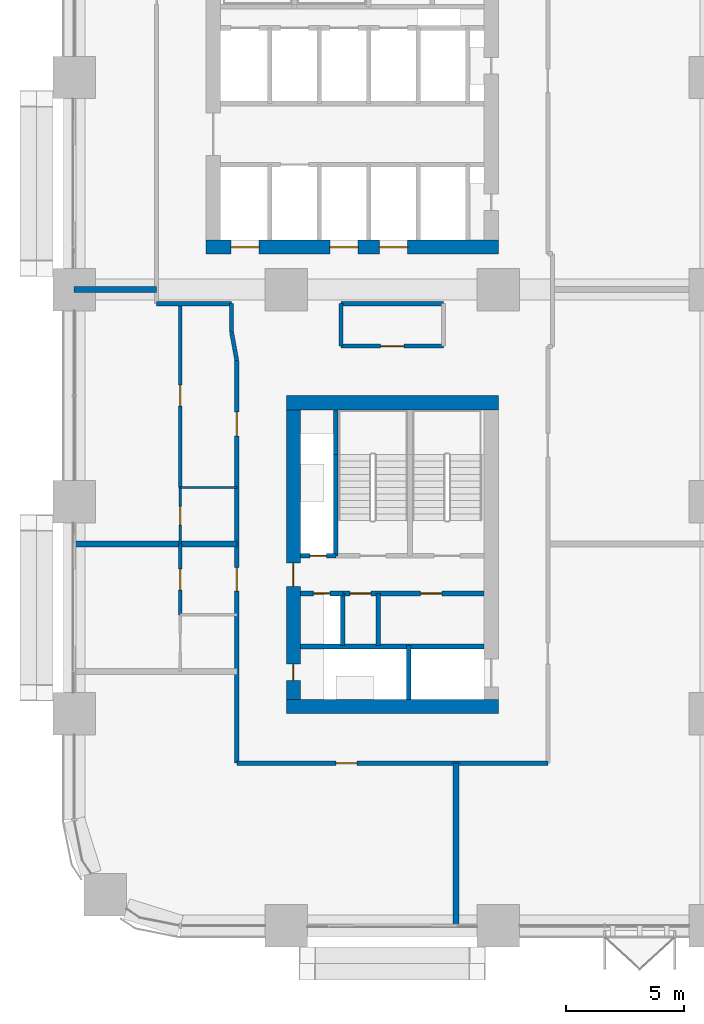
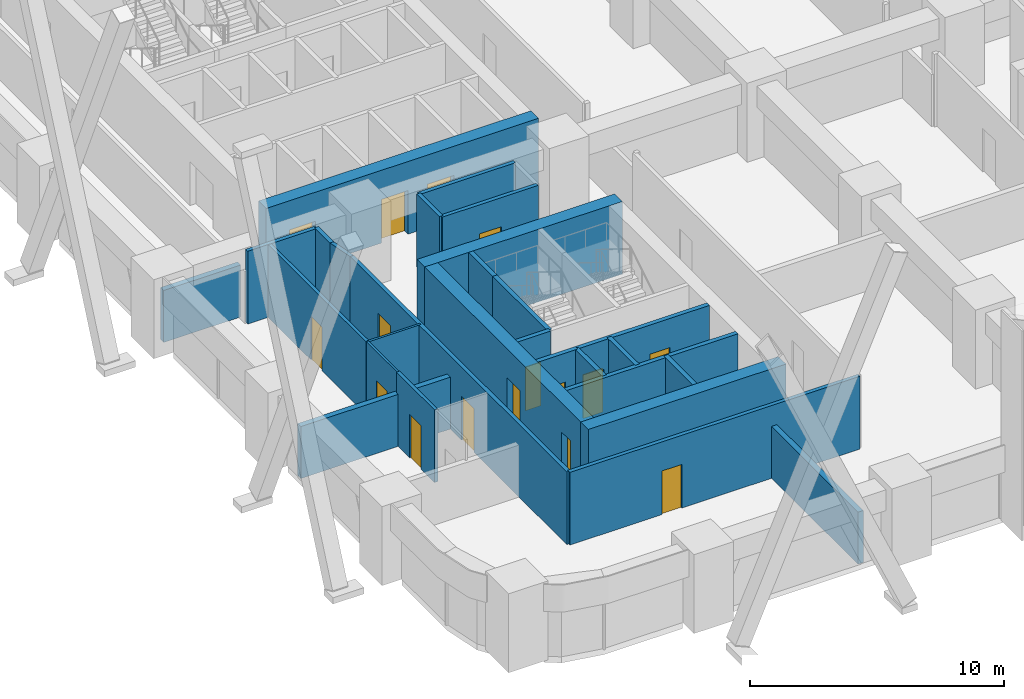
# One storey, part 15 of 24: 28 walls, 16 doors, 16 openings.
"""IFC4 building model written with IfcOpenShell, lengths in metres."""

from ifc_helpers import new_model, si_unit, direction, frame, frame_2d, origin, place, context, subcontext, project, spatial, rectangle, extrude, material, layer, layer_set, type_object, element, fill, save


model = new_model("IFC4")

# Units and contexts
model_context = context("Model", 3, precision=1e-05, world=origin(), true_north=direction((0.0, 1.0)))
body_context = subcontext(model_context, "Body", "Model", "MODEL_VIEW")
ifc_project = project(units=[si_unit("LENGTHUNIT", "METRE"), si_unit("AREAUNIT", "SQUARE_METRE"), si_unit("VOLUMEUNIT", "CUBIC_METRE"), si_unit("PLANEANGLEUNIT", "RADIAN"), si_unit("MASSUNIT", "GRAM", prefix="KILO")], contexts=[model_context])

# Site, building, storey
site_placement = place(None, origin())
site = spatial("IfcSite", under=ifc_project, at=site_placement, CompositionType="ELEMENT")
building_placement = place(site_placement, origin())
building = spatial("IfcBuilding", under=site, at=building_placement, Name="Tessera Arch", CompositionType="ELEMENT")
storey_placement = place(building_placement, frame((0.0, 0.0, 61.39990234375)))
storey = spatial("IfcBuildingStorey", under=building, at=storey_placement, Name="L13", CompositionType="ELEMENT", Elevation=61.39990234375)

# Wall
ifc_material_1 = material(Name="Gypsum board on steel stud", Category="steel")
ifc_layer_1 = layer(ifc_material_1, 0.125)
ifc_layer_set_1 = layer_set([ifc_layer_1], Name="Core partition 125 EI 60")
wall_type_1 = type_object("IfcWallType", Name="Core partition 125 EI 60", PredefinedType="PARTITIONING", material=ifc_layer_set_1)
wall_1_placement = place(storey_placement, frame((12.89990234375, 11.89990234375, 0.0), z_axis=(0.0, 0.0, 1.0), x_axis=(0.0, 1.0, 0.0)))
element("IfcWall", 1, at=wall_1_placement, inside=storey, type_object=wall_type_1, Name="L13 C4 partition wall 4", PredefinedType="PARTITIONING", context=body_context, shape_type="SweptSolid", body=[
    extrude(rectangle(XDim=2.2001953125, YDim=0.199951171875, at=frame_2d((1.10009765625, 0.0))), origin(), (0.0, 0.0, 1.0), 3.5),
])

# Wall, openings, doors
wall_2_placement = place(storey_placement, frame((11.39990234375, 14.10009765625, 0.0), z_axis=(0.0, 0.0, 1.0), x_axis=(1.0, 0.0, 0.0)))
wall_2 = element("IfcWall", 2, at=wall_2_placement, inside=storey, type_object=wall_type_1, Name="L13 C4 partition wall 9", PredefinedType="PARTITIONING", context=body_context, shape_type="SweptSolid", body=[
    extrude(rectangle(XDim=6.0, YDim=0.199951171875, at=frame_2d((3.0, 0.0))), origin(), (0.0, 0.0, 1.0), 3.5),
])
opening_1_placement = place(wall_2_placement, frame((0.300048828125, 0.0, 0.0)))
opening_1 = element("IfcOpeningElement", 3, at=opening_1_placement, cuts=wall_2, Name="Opening L13-C47", PredefinedType="OPENING", context=body_context, shape_type="SweptSolid", body=[
    extrude(rectangle(XDim=0.89990234375, YDim=2.10009765625, at=frame_2d((0.449951171875, 1.050048828125))), frame((0.0, 0.10986328125, 0.0), z_axis=(0.0, -1.0, 0.0), x_axis=(1.0, 0.0, 0.0)), (0.0, 0.0, 1.0), 0.219970703125),
])
opening_2_placement = place(wall_2_placement, frame((3.300048828125, 0.0, 0.0)))
opening_2 = element("IfcOpeningElement", 4, at=opening_2_placement, cuts=wall_2, Name="Opening L13-C48", PredefinedType="OPENING", context=body_context, shape_type="SweptSolid", body=[
    extrude(rectangle(XDim=0.89990234375, YDim=2.10009765625, at=frame_2d((0.449951171875, 1.050048828125))), frame((0.0, 0.10986328125, 0.0), z_axis=(0.0, -1.0, 0.0), x_axis=(1.0, 0.0, 0.0)), (0.0, 0.0, 1.0), 0.219970703125),
])
ifc_material_2 = material(Name="Steel door leaf", Category="steel")
door_type_1 = type_object("IfcDoorType", Name="Store door FD30S 900 x 2100", OperationType="SINGLE_SWING_LEFT", PredefinedType="DOOR", material=ifc_material_2)
door_1_placement = place(opening_1_placement, origin())
door_1 = element("IfcDoor", 5, at=door_1_placement, inside=storey, type_object=door_type_1, Name="L13 C4 door 8 C47 type D09", OperationType="SINGLE_SWING_LEFT", OverallHeight=2.10009765625, OverallWidth=0.89990234375, PredefinedType="DOOR", context=body_context, shape_type="SweptSolid", body=[
    extrude(rectangle(XDim=0.89990234375, YDim=2.10009765625, at=frame_2d((0.449951171875, 1.050048828125))), frame((0.0, 0.02490234375, 0.0), z_axis=(0.0, -1.0, 0.0), x_axis=(1.0, 0.0, 0.0)), (0.0, 0.0, 1.0), 0.050048828125),
])
fill(opening_1, door_1)
door_2_placement = place(opening_2_placement, origin())
door_2 = element("IfcDoor", 6, at=door_2_placement, inside=storey, type_object=door_type_1, Name="L13 C4 door 9 C48 type D09", OperationType="SINGLE_SWING_RIGHT", OverallHeight=2.10009765625, OverallWidth=0.89990234375, PredefinedType="DOOR", context=body_context, shape_type="SweptSolid", body=[
    extrude(rectangle(XDim=0.89990234375, YDim=2.10009765625, at=frame_2d((0.449951171875, 1.050048828125))), frame((0.0, 0.02490234375, 0.0), z_axis=(0.0, -1.0, 0.0), x_axis=(1.0, 0.0, 0.0)), (0.0, 0.0, 1.0), 0.050048828125),
])
fill(opening_2, door_2)

ifc_material_3 = material(Name="Concrete C70/85", Category="concrete")
ifc_layer_2 = layer(ifc_material_3, 0.60009765625)
ifc_layer_set_2 = layer_set([ifc_layer_2], Name="Core shell wall 600 C70-85")
wall_type_2 = type_object("IfcWallType", Name="Core shell wall 600 C70-85", PredefinedType="SHEAR", material=ifc_layer_set_2)
wall_3_placement = place(storey_placement, frame((5.60009765625, 28.800048828125, 0.0), z_axis=(0.0, 0.0, 1.0), x_axis=(1.0, 0.0, 0.0)))
wall_3 = element("IfcWall", 7, at=wall_3_placement, inside=storey, type_object=wall_type_2, Name="L13 C2 core wall S", PredefinedType="SHEAR", context=body_context, shape_type="SweptSolid", body=[
    extrude(rectangle(XDim=12.39990234375, YDim=0.60009765625, at=frame_2d((6.199951171875, 0.0))), origin(), (0.0, 0.0, 1.0), 3.5),
])
opening_3_placement = place(wall_3_placement, frame((1.050048828125, 0.0, 0.0)))
opening_3 = element("IfcOpeningElement", 8, at=opening_3_placement, cuts=wall_3, Name="Opening L13-C14", PredefinedType="OPENING", context=body_context, shape_type="SweptSolid", body=[
    extrude(rectangle(XDim=1.199951171875, YDim=2.10009765625, at=frame_2d((0.60009765625, 1.050048828125))), frame((0.0, 0.31005859375, 0.0), z_axis=(0.0, -1.0, 0.0), x_axis=(1.0, 0.0, 0.0)), (0.0, 0.0, 1.0), 0.6201171875),
])
opening_4_placement = place(wall_3_placement, frame((5.25, 0.0, 0.0)))
opening_4 = element("IfcOpeningElement", 9, at=opening_4_placement, cuts=wall_3, Name="Opening L13-C16", PredefinedType="OPENING", context=body_context, shape_type="SweptSolid", body=[
    extrude(rectangle(XDim=1.199951171875, YDim=2.10009765625, at=frame_2d((0.60009765625, 1.050048828125))), frame((0.0, 0.31005859375, 0.0), z_axis=(0.0, -1.0, 0.0), x_axis=(1.0, 0.0, 0.0)), (0.0, 0.0, 1.0), 0.6201171875),
])
opening_5_placement = place(wall_3_placement, frame((7.35009765625, 0.0, 0.0)))
opening_5 = element("IfcOpeningElement", 10, at=opening_5_placement, cuts=wall_3, Name="Opening L13-C17", PredefinedType="OPENING", context=body_context, shape_type="SweptSolid", body=[
    extrude(rectangle(XDim=1.199951171875, YDim=2.10009765625, at=frame_2d((0.60009765625, 1.050048828125))), frame((0.0, 0.31005859375, 0.0), z_axis=(0.0, -1.0, 0.0), x_axis=(1.0, 0.0, 0.0)), (0.0, 0.0, 1.0), 0.6201171875),
])
ifc_material_4 = material(Name="Stainless steel AISI 304", Category="steel")
door_type_2 = type_object("IfcDoorType", Name="Sliding landing door 1200 x 2100", OperationType="SLIDING_TO_LEFT", PredefinedType="DOOR", material=ifc_material_4)
door_3_placement = place(opening_3_placement, origin())
door_3 = element("IfcDoor", 11, at=door_3_placement, inside=storey, type_object=door_type_2, Name="L13 LR1 lift landing door C14 type LD", OperationType="SLIDING_TO_LEFT", OverallHeight=2.10009765625, OverallWidth=1.199951171875, PredefinedType="DOOR", context=body_context, shape_type="SweptSolid", body=[
    extrude(rectangle(XDim=1.199951171875, YDim=2.10009765625, at=frame_2d((0.60009765625, 1.050048828125))), frame((0.0, 0.02490234375, 0.0), z_axis=(0.0, -1.0, 0.0), x_axis=(1.0, 0.0, 0.0)), (0.0, 0.0, 1.0), 0.050048828125),
])
fill(opening_3, door_3)
door_4_placement = place(opening_4_placement, origin())
door_4 = element("IfcDoor", 12, at=door_4_placement, inside=storey, type_object=door_type_2, Name="L13 LR3 lift landing door C16 type LD", OperationType="SLIDING_TO_LEFT", OverallHeight=2.10009765625, OverallWidth=1.199951171875, PredefinedType="DOOR", context=body_context, shape_type="SweptSolid", body=[
    extrude(rectangle(XDim=1.199951171875, YDim=2.10009765625, at=frame_2d((0.60009765625, 1.050048828125))), frame((0.0, 0.02490234375, 0.0), z_axis=(0.0, -1.0, 0.0), x_axis=(1.0, 0.0, 0.0)), (0.0, 0.0, 1.0), 0.050048828125),
])
fill(opening_4, door_4)
door_5_placement = place(opening_5_placement, origin())
door_5 = element("IfcDoor", 13, at=door_5_placement, inside=storey, type_object=door_type_2, Name="L13 LR4 lift landing door C17 type LD", OperationType="SLIDING_TO_LEFT", OverallHeight=2.10009765625, OverallWidth=1.199951171875, PredefinedType="DOOR", context=body_context, shape_type="SweptSolid", body=[
    extrude(rectangle(XDim=1.199951171875, YDim=2.10009765625, at=frame_2d((0.60009765625, 1.050048828125))), frame((0.0, 0.02490234375, 0.0), z_axis=(0.0, -1.0, 0.0), x_axis=(1.0, 0.0, 0.0)), (0.0, 0.0, 1.0), 0.050048828125),
])
fill(opening_5, door_5)

# Walls
for number, where, z_axis, x_axis, name in (
    (14, (9.0, 9.300048828125, 0.0), (0.0, 0.0, 1.0), (1.0, 0.0, 0.0), "L13 C4 core wall S"),
    (15, (9.0, 22.199951171875, 0.0), (0.0, 0.0, 1.0), (1.0, 0.0, 0.0), "L13 C4 core wall N"),
):
    element("IfcWall", number, at=place(storey_placement, frame(where, z_axis=z_axis, x_axis=x_axis)), inside=storey, type_object=wall_type_2, Name=name, PredefinedType="SHEAR", context=body_context, shape_type="SweptSolid", body=[
        extrude(rectangle(XDim=9.0, YDim=0.60009765625, at=frame_2d((4.5, 0.0))), origin(), (0.0, 0.0, 1.0), 3.5),
    ])

# Wall, openings, doors
wall_4_placement = place(storey_placement, frame((9.300048828125, 9.60009765625, 0.0), z_axis=(0.0, 0.0, 1.0), x_axis=(0.0, 1.0, 0.0)))
wall_4 = element("IfcWall", 16, at=wall_4_placement, inside=storey, type_object=wall_type_2, Name="L13 C4 core wall W", PredefinedType="SHEAR", context=body_context, shape_type="SweptSolid", body=[
    extrude(rectangle(XDim=12.2998046875, YDim=0.60009765625, at=frame_2d((6.14990234375, 0.0))), origin(), (0.0, 0.0, 1.0), 3.5),
])
opening_6_placement = place(wall_4_placement, frame((0.800048828125, 0.0, 0.0)))
opening_6 = element("IfcOpeningElement", 17, at=opening_6_placement, cuts=wall_4, Name="Opening L13-C45", PredefinedType="OPENING", context=body_context, shape_type="SweptSolid", body=[
    extrude(rectangle(XDim=0.699951171875, YDim=2.10009765625, at=frame_2d((0.35009765625, 1.050048828125))), frame((0.0, 0.31005859375, 0.0), z_axis=(0.0, -1.0, 0.0), x_axis=(1.0, 0.0, 0.0)), (0.0, 0.0, 1.0), 0.6201171875),
])
opening_7_placement = place(wall_4_placement, frame((4.800048828125, 0.0, 0.0)))
opening_7 = element("IfcOpeningElement", 18, at=opening_7_placement, cuts=wall_4, Name="Opening L13-C46", PredefinedType="OPENING", context=body_context, shape_type="SweptSolid", body=[
    extrude(rectangle(XDim=1.0, YDim=2.10009765625, at=frame_2d((0.5, 1.050048828125))), frame((0.0, 0.31005859375, 0.0), z_axis=(0.0, -1.0, 0.0), x_axis=(1.0, 0.0, 0.0)), (0.0, 0.0, 1.0), 0.6201171875),
])
ifc_material_5 = material(Name="Steel door leaf", Category="steel")
door_type_3 = type_object("IfcDoorType", Name="Corridor door FD60 1000 x 2100", OperationType="SINGLE_SWING_LEFT", PredefinedType="DOOR", material=ifc_material_5)
door_6_placement = place(opening_7_placement, origin())
door_6 = element("IfcDoor", 19, at=door_6_placement, inside=storey, type_object=door_type_3, Name="L13 C4 door 7 C46 type D12", OperationType="SINGLE_SWING_LEFT", OverallHeight=2.10009765625, OverallWidth=1.0, PredefinedType="DOOR", context=body_context, shape_type="SweptSolid", body=[
    extrude(rectangle(XDim=1.0, YDim=2.10009765625, at=frame_2d((0.5, 1.050048828125))), frame((0.0, 0.02490234375, 0.0), z_axis=(0.0, -1.0, 0.0), x_axis=(1.0, 0.0, 0.0)), (0.0, 0.0, 1.0), 0.050048828125),
])
fill(opening_7, door_6)
ifc_material_6 = material(Name="Steel door leaf", Category="steel")
door_type_4 = type_object("IfcDoorType", Name="Service shaft door FD60 700 x 2100", OperationType="SINGLE_SWING_LEFT", PredefinedType="DOOR", material=ifc_material_6)
door_7_placement = place(opening_6_placement, origin())
door_7 = element("IfcDoor", 20, at=door_7_placement, inside=storey, type_object=door_type_4, Name="L13 C4 door 6 C45 type D07", OperationType="SINGLE_SWING_LEFT", OverallHeight=2.10009765625, OverallWidth=0.699951171875, PredefinedType="DOOR", context=body_context, shape_type="SweptSolid", body=[
    extrude(rectangle(XDim=0.699951171875, YDim=2.10009765625, at=frame_2d((0.35009765625, 1.050048828125))), frame((0.0, 0.02490234375, 0.0), z_axis=(0.0, -1.0, 0.0), x_axis=(1.0, 0.0, 0.0)), (0.0, 0.0, 1.0), 0.050048828125),
])
fill(opening_6, door_7)

# Wall, opening, door
ifc_material_7 = material(Name="Gypsum board on deep steel stud with mineral wool", Category="steel")
ifc_layer_3 = layer(ifc_material_7, 0.175048828125)
ifc_layer_set_3 = layer_set([ifc_layer_3], Name="Corridor wall 175 EI 60")
wall_type_3 = type_object("IfcWallType", Name="Corridor wall 175 EI 60", PredefinedType="PARTITIONING", material=ifc_layer_set_3)
wall_5_placement = place(storey_placement, frame((6.89990234375, 6.89990234375, 0.0), z_axis=(0.0, 0.0, 1.0), x_axis=(1.0, 0.0, 0.0)))
wall_5 = element("IfcWall", 21, at=wall_5_placement, inside=storey, type_object=wall_type_3, Name="L13 partition 1", PredefinedType="PARTITIONING", context=body_context, shape_type="SweptSolid", body=[
    extrude(rectangle(XDim=13.2001953125, YDim=0.175048828125, at=frame_2d((6.60009765625, 0.0))), origin(), (0.0, 0.0, 1.0), 3.5),
])
opening_8_placement = place(wall_5_placement, frame((4.199951171875, 0.0, 0.0)))
opening_8 = element("IfcOpeningElement", 22, at=opening_8_placement, cuts=wall_5, Name="Opening L13-D001", PredefinedType="OPENING", context=body_context, shape_type="SweptSolid", body=[
    extrude(rectangle(XDim=0.89990234375, YDim=2.10009765625, at=frame_2d((0.449951171875, 1.050048828125))), frame((0.0, 0.097412109375, 0.0), z_axis=(0.0, -1.0, 0.0), x_axis=(1.0, 0.0, 0.0)), (0.0, 0.0, 1.0), 0.195068359375),
])
ifc_material_8 = material(Name="Timber door leaf", Category="wood")
door_type_5 = type_object("IfcDoorType", Name="Room door 900 x 2100", OperationType="SINGLE_SWING_LEFT", PredefinedType="DOOR", material=ifc_material_8)
door_8_placement = place(opening_8_placement, origin())
door_8 = element("IfcDoor", 23, at=door_8_placement, inside=storey, type_object=door_type_5, Name="L13 door D001 type D01", OperationType="SINGLE_SWING_RIGHT", OverallHeight=2.10009765625, OverallWidth=0.89990234375, PredefinedType="DOOR", context=body_context, shape_type="SweptSolid", body=[
    extrude(rectangle(XDim=0.89990234375, YDim=2.10009765625, at=frame_2d((0.449951171875, 1.050048828125))), frame((0.0, 0.02490234375, 0.0), z_axis=(0.0, -1.0, 0.0), x_axis=(1.0, 0.0, 0.0)), (0.0, 0.0, 1.0), 0.050048828125),
])
fill(opening_8, door_8)

wall_6_placement = place(storey_placement, frame((11.320068359375, 24.60009765625, 0.0), z_axis=(0.0, 0.0, 1.0), x_axis=(1.0, 0.0, 0.0)))
wall_6 = element("IfcWall", 24, at=wall_6_placement, inside=storey, type_object=wall_type_3, Name="L13 partition 5", PredefinedType="PARTITIONING", context=body_context, shape_type="SweptSolid", body=[
    extrude(rectangle(XDim=4.35986328125, YDim=0.175048828125, at=frame_2d((2.179931640625, 0.0))), origin(), (0.0, 0.0, 1.0), 3.5),
])
opening_9_placement = place(wall_6_placement, frame((1.679931640625, 0.0, 0.0)))
opening_9 = element("IfcOpeningElement", 25, at=opening_9_placement, cuts=wall_6, Name="Opening L13-D019", PredefinedType="OPENING", context=body_context, shape_type="SweptSolid", body=[
    extrude(rectangle(XDim=1.0, YDim=2.10009765625, at=frame_2d((0.5, 1.050048828125))), frame((0.0, 0.097412109375, 0.0), z_axis=(0.0, -1.0, 0.0), x_axis=(1.0, 0.0, 0.0)), (0.0, 0.0, 1.0), 0.195068359375),
])
ifc_material_9 = material(Name="Fire-rated door leaf")
door_type_6 = type_object("IfcDoorType", Name="Entrance door FD30S 1000 x 2100", OperationType="SINGLE_SWING_LEFT", PredefinedType="DOOR", material=ifc_material_9)
door_9_placement = place(opening_9_placement, origin())
door_9 = element("IfcDoor", 26, at=door_9_placement, inside=storey, type_object=door_type_6, Name="L13 door D019 type D03", OperationType="SINGLE_SWING_LEFT", OverallHeight=2.10009765625, OverallWidth=1.0, PredefinedType="DOOR", context=body_context, shape_type="SweptSolid", body=[
    extrude(rectangle(XDim=1.0, YDim=2.10009765625, at=frame_2d((0.5, 1.050048828125))), frame((0.0, 0.02490234375, 0.0), z_axis=(0.0, -1.0, 0.0), x_axis=(1.0, 0.0, 0.0)), (0.0, 0.0, 1.0), 0.050048828125),
])
fill(opening_9, door_9)

# Walls
wall_7_placement = place(storey_placement, frame((3.5, 26.39990234375, 0.0), z_axis=(0.0, 0.0, 1.0), x_axis=(1.0, 0.0, 0.0)))
element("IfcWall", 27, at=wall_7_placement, inside=storey, type_object=wall_type_3, Name="L13 partition 7", PredefinedType="PARTITIONING", context=body_context, shape_type="SweptSolid", body=[
    extrude(rectangle(XDim=3.179931640625, YDim=0.175048828125, at=frame_2d((1.58984375, 0.0))), origin(), (0.0, 0.0, 1.0), 3.5),
])
wall_8_placement = place(storey_placement, frame((11.320068359375, 26.39990234375, 0.0), z_axis=(0.0, 0.0, 1.0), x_axis=(1.0, 0.0, 0.0)))
element("IfcWall", 28, at=wall_8_placement, inside=storey, type_object=wall_type_3, Name="L13 partition 8", PredefinedType="PARTITIONING", context=body_context, shape_type="SweptSolid", body=[
    extrude(rectangle(XDim=4.35986328125, YDim=0.175048828125, at=frame_2d((2.179931640625, 0.0))), origin(), (0.0, 0.0, 1.0), 3.5),
])
wall_9_placement = place(storey_placement, frame((6.679931640625, 25.18994140625, 0.0), z_axis=(0.0, 0.0, 1.0), x_axis=(0.0, 1.0, 0.0)))
element("IfcWall", 29, at=wall_9_placement, inside=storey, type_object=wall_type_3, Name="L13 partition 16", PredefinedType="PARTITIONING", context=body_context, shape_type="SweptSolid", body=[
    extrude(rectangle(XDim=1.2099609375, YDim=0.175048828125, at=frame_2d((0.60498046875, 0.0))), origin(), (0.0, 0.0, 1.0), 3.5),
])

# Wall, openings, doors
wall_10_placement = place(storey_placement, frame((6.89990234375, 6.89990234375, 0.0), z_axis=(0.0, 0.0, 1.0), x_axis=(0.0, 1.0, 0.0)))
wall_10 = element("IfcWall", 30, at=wall_10_placement, inside=storey, type_object=wall_type_3, Name="L13 partition 17", PredefinedType="PARTITIONING", context=body_context, shape_type="SweptSolid", body=[
    extrude(rectangle(XDim=17.090087890625, YDim=0.175048828125, at=frame_2d((8.544921875, 0.0))), origin(), (0.0, 0.0, 1.0), 3.5),
])
opening_10_placement = place(wall_10_placement, frame((7.300048828125, 0.0, 0.0)))
opening_10 = element("IfcOpeningElement", 31, at=opening_10_placement, cuts=wall_10, Name="Opening L13-D005", PredefinedType="OPENING", context=body_context, shape_type="SweptSolid", body=[
    extrude(rectangle(XDim=1.0, YDim=2.10009765625, at=frame_2d((0.5, 1.050048828125))), frame((0.0, 0.097412109375, 0.0), z_axis=(0.0, -1.0, 0.0), x_axis=(1.0, 0.0, 0.0)), (0.0, 0.0, 1.0), 0.195068359375),
])
opening_11_placement = place(wall_10_placement, frame((13.89501953125, 0.0, 0.0)))
opening_11 = element("IfcOpeningElement", 32, at=opening_11_placement, cuts=wall_10, Name="Opening L13-D011", PredefinedType="OPENING", context=body_context, shape_type="SweptSolid", body=[
    extrude(rectangle(XDim=1.0, YDim=2.10009765625, at=frame_2d((0.5, 1.050048828125))), frame((0.0, 0.097412109375, 0.0), z_axis=(0.0, -1.0, 0.0), x_axis=(1.0, 0.0, 0.0)), (0.0, 0.0, 1.0), 0.195068359375),
])
door_10_placement = place(opening_10_placement, origin())
door_10 = element("IfcDoor", 33, at=door_10_placement, inside=storey, type_object=door_type_6, Name="L13 door D005 type D03", OperationType="SINGLE_SWING_LEFT", OverallHeight=2.10009765625, OverallWidth=1.0, PredefinedType="DOOR", context=body_context, shape_type="SweptSolid", body=[
    extrude(rectangle(XDim=1.0, YDim=2.10009765625, at=frame_2d((0.5, 1.050048828125))), frame((0.0, 0.02490234375, 0.0), z_axis=(0.0, -1.0, 0.0), x_axis=(1.0, 0.0, 0.0)), (0.0, 0.0, 1.0), 0.050048828125),
])
fill(opening_10, door_10)
door_11_placement = place(opening_11_placement, origin())
door_11 = element("IfcDoor", 34, at=door_11_placement, inside=storey, type_object=door_type_6, Name="L13 door D011 type D03", OperationType="SINGLE_SWING_LEFT", OverallHeight=2.10009765625, OverallWidth=1.0, PredefinedType="DOOR", context=body_context, shape_type="SweptSolid", body=[
    extrude(rectangle(XDim=1.0, YDim=2.10009765625, at=frame_2d((0.5, 1.050048828125))), frame((0.0, 0.02490234375, 0.0), z_axis=(0.0, -1.0, 0.0), x_axis=(1.0, 0.0, 0.0)), (0.0, 0.0, 1.0), 0.050048828125),
])
fill(opening_11, door_11)

# Walls
wall_11_placement = place(storey_placement, frame((11.320068359375, 24.60009765625, 0.0), z_axis=(0.0, 0.0, 1.0), x_axis=(0.0, 1.0, 0.0)))
element("IfcWall", 35, at=wall_11_placement, inside=storey, type_object=wall_type_3, Name="L13 partition 18", PredefinedType="PARTITIONING", context=body_context, shape_type="SweptSolid", body=[
    extrude(rectangle(XDim=1.7998046875, YDim=0.175048828125, at=frame_2d((0.89990234375, 0.0))), origin(), (0.0, 0.0, 1.0), 3.5),
])
wall_12_placement = place(storey_placement, frame((6.89990234375, 23.989990234375, 0.0), z_axis=(0.0, 0.0, 1.0), x_axis=(-0.180311734132, 0.983609515272, 0.0)))
element("IfcWall", 36, at=wall_12_placement, inside=storey, type_object=wall_type_3, Name="L13 partition 59", PredefinedType="PARTITIONING", context=body_context, shape_type="SweptSolid", body=[
    extrude(rectangle(XDim=1.219970703125, YDim=0.175048828125, at=frame_2d((0.60986328125, 0.0))), origin(), (0.0, 0.0, 1.0), 3.5),
])

# Wall, opening, door
ifc_material_10 = material(Name="Gypsum board on steel stud", Category="steel")
ifc_layer_4 = layer(ifc_material_10, 0.14990234375)
ifc_layer_set_4 = layer_set([ifc_layer_4], Name="Partition 150")
wall_type_4 = type_object("IfcWallType", Name="Partition 150", PredefinedType="PARTITIONING", material=ifc_layer_set_4)
wall_13_placement = place(storey_placement, frame((4.5, 13.199951171875, 0.0), z_axis=(0.0, 0.0, 1.0), x_axis=(0.0, 1.0, 0.0)))
wall_13 = element("IfcWall", 37, at=wall_13_placement, inside=storey, type_object=wall_type_4, Name="L13 partition 31", PredefinedType="PARTITIONING", context=body_context, shape_type="SweptSolid", body=[
    extrude(rectangle(XDim=3.0, YDim=0.14990234375, at=frame_2d((1.5, 0.0))), origin(), (0.0, 0.0, 1.0), 3.5),
])
opening_12_placement = place(wall_13_placement, frame((1.050048828125, 0.0, 0.0)))
opening_12 = element("IfcOpeningElement", 38, at=opening_12_placement, cuts=wall_13, Name="Opening L13-D006", PredefinedType="OPENING", context=body_context, shape_type="SweptSolid", body=[
    extrude(rectangle(XDim=0.89990234375, YDim=2.10009765625, at=frame_2d((0.449951171875, 1.050048828125))), frame((0.0, 0.0849609375, 0.0), z_axis=(0.0, -1.0, 0.0), x_axis=(1.0, 0.0, 0.0)), (0.0, 0.0, 1.0), 0.169921875),
])
door_12_placement = place(opening_12_placement, origin())
door_12 = element("IfcDoor", 39, at=door_12_placement, inside=storey, type_object=door_type_5, Name="L13 door D006 type D01", OperationType="SINGLE_SWING_RIGHT", OverallHeight=2.10009765625, OverallWidth=0.89990234375, PredefinedType="DOOR", context=body_context, shape_type="SweptSolid", body=[
    extrude(rectangle(XDim=0.89990234375, YDim=2.10009765625, at=frame_2d((0.449951171875, 1.050048828125))), frame((0.0, 0.02490234375, 0.0), z_axis=(0.0, -1.0, 0.0), x_axis=(1.0, 0.0, 0.0)), (0.0, 0.0, 1.0), 0.050048828125),
])
fill(opening_12, door_12)

wall_14_placement = place(storey_placement, frame((4.5, 18.60009765625, 0.0), z_axis=(0.0, 0.0, 1.0), x_axis=(0.0, 1.0, 0.0)))
wall_14 = element("IfcWall", 40, at=wall_14_placement, inside=storey, type_object=wall_type_4, Name="L13 partition 32", PredefinedType="PARTITIONING", context=body_context, shape_type="SweptSolid", body=[
    extrude(rectangle(XDim=7.7998046875, YDim=0.14990234375, at=frame_2d((3.89990234375, 0.0))), origin(), (0.0, 0.0, 1.0), 3.5),
])
opening_13_placement = place(wall_14_placement, frame((3.449951171875, 0.0, 0.0)))
opening_13 = element("IfcOpeningElement", 41, at=opening_13_placement, cuts=wall_14, Name="Opening L13-D012", PredefinedType="OPENING", context=body_context, shape_type="SweptSolid", body=[
    extrude(rectangle(XDim=0.89990234375, YDim=2.10009765625, at=frame_2d((0.449951171875, 1.050048828125))), frame((0.0, 0.0849609375, 0.0), z_axis=(0.0, -1.0, 0.0), x_axis=(1.0, 0.0, 0.0)), (0.0, 0.0, 1.0), 0.169921875),
])
door_13_placement = place(opening_13_placement, origin())
door_13 = element("IfcDoor", 42, at=door_13_placement, inside=storey, type_object=door_type_5, Name="L13 door D012 type D01", OperationType="SINGLE_SWING_RIGHT", OverallHeight=2.10009765625, OverallWidth=0.89990234375, PredefinedType="DOOR", context=body_context, shape_type="SweptSolid", body=[
    extrude(rectangle(XDim=0.89990234375, YDim=2.10009765625, at=frame_2d((0.449951171875, 1.050048828125))), frame((0.0, 0.02490234375, 0.0), z_axis=(0.0, -1.0, 0.0), x_axis=(1.0, 0.0, 0.0)), (0.0, 0.0, 1.0), 0.050048828125),
])
fill(opening_13, door_13)

# Walls
ifc_material_11 = material(Name="Double gypsum board on twin steel stud with acoustic mineral wool", Category="steel")
ifc_layer_5 = layer(ifc_material_11, 0.25)
ifc_layer_set_5 = layer_set([ifc_layer_5], Name="Party wall 250 EI 60")
wall_type_5 = type_object("IfcWallType", Name="Party wall 250 EI 60", PredefinedType="PARTITIONING", material=ifc_layer_set_5)
wall_15_placement = place(storey_placement, frame((0.0, 16.199951171875, 0.0), z_axis=(0.0, 0.0, 1.0), x_axis=(1.0, 0.0, 0.0)))
element("IfcWall", 43, at=wall_15_placement, inside=storey, type_object=wall_type_5, Name="L13 partition 37", PredefinedType="PARTITIONING", context=body_context, shape_type="SweptSolid", body=[
    extrude(rectangle(XDim=6.89990234375, YDim=0.25, at=frame_2d((3.449951171875, 0.0))), origin(), (0.0, 0.0, 1.0), 2.5),
])
wall_16_placement = place(storey_placement, frame((0.0, 27.0, 0.0), z_axis=(0.0, 0.0, 1.0), x_axis=(1.0, 0.0, 0.0)))
element("IfcWall", 44, at=wall_16_placement, inside=storey, type_object=wall_type_5, Name="L13 partition 40", PredefinedType="PARTITIONING", context=body_context, shape_type="SweptSolid", body=[
    extrude(rectangle(XDim=3.5, YDim=0.25, at=frame_2d((1.75, 0.0))), origin(), (0.0, 0.0, 1.0), 2.5),
])
wall_17_placement = place(storey_placement, frame((16.199951171875, 0.0, 0.0), z_axis=(0.0, 0.0, 1.0), x_axis=(0.0, 1.0, 0.0)))
element("IfcWall", 45, at=wall_17_placement, inside=storey, type_object=wall_type_5, Name="L13 partition 45", PredefinedType="PARTITIONING", context=body_context, shape_type="SweptSolid", body=[
    extrude(rectangle(XDim=6.89990234375, YDim=0.25, at=frame_2d((3.449951171875, 0.0))), origin(), (0.0, 0.0, 1.0), 2.5),
])
ifc_material_12 = material(Name="Concrete C40/50", Category="concrete")
ifc_layer_6 = layer(ifc_material_12, 0.199951171875)
ifc_layer_set_6 = layer_set([ifc_layer_6], Name="Shaft wall 200 EI 120")
wall_type_6 = type_object("IfcWallType", Name="Shaft wall 200 EI 120", PredefinedType="SOLIDWALL", material=ifc_layer_set_6)
wall_18_placement = place(storey_placement, frame((11.39990234375, 11.89990234375, 0.0), z_axis=(0.0, 0.0, 1.0), x_axis=(0.0, 1.0, 0.0)))
element("IfcWall", 46, at=wall_18_placement, inside=storey, type_object=wall_type_6, Name="L13 C4 shaft wall 3", PredefinedType="SOLIDWALL", context=body_context, shape_type="SweptSolid", body=[
    extrude(rectangle(XDim=2.2001953125, YDim=0.199951171875, at=frame_2d((1.10009765625, 0.0))), origin(), (0.0, 0.0, 1.0), 3.5),
])
wall_19_placement = place(storey_placement, frame((14.199951171875, 9.60009765625, 0.0), z_axis=(0.0, 0.0, 1.0), x_axis=(0.0, 1.0, 0.0)))
element("IfcWall", 47, at=wall_19_placement, inside=storey, type_object=wall_type_6, Name="L13 C4 shaft wall 5", PredefinedType="SOLIDWALL", context=body_context, shape_type="SweptSolid", body=[
    extrude(rectangle(XDim=2.2998046875, YDim=0.199951171875, at=frame_2d((1.14990234375, 0.0))), origin(), (0.0, 0.0, 1.0), 3.5),
])
wall_20_placement = place(storey_placement, frame((9.60009765625, 11.85009765625, 0.0), z_axis=(0.0, 0.0, 1.0), x_axis=(1.0, 0.0, 0.0)))
element("IfcWall", 48, at=wall_20_placement, inside=storey, type_object=wall_type_6, Name="L13 C4 shaft wall 8", PredefinedType="SOLIDWALL", context=body_context, shape_type="SweptSolid", body=[
    extrude(rectangle(XDim=7.7998046875, YDim=0.199951171875, at=frame_2d((3.89990234375, 0.0))), origin(), (0.0, 0.0, 1.0), 3.5),
])

# Wall, opening, door
wall_21_placement = place(storey_placement, frame((9.60009765625, 14.10009765625, 0.0), z_axis=(0.0, 0.0, 1.0), x_axis=(1.0, 0.0, 0.0)))
wall_21 = element("IfcWall", 49, at=wall_21_placement, inside=storey, type_object=wall_type_6, Name="L13 C4 shaft wall 10", PredefinedType="SOLIDWALL", context=body_context, shape_type="SweptSolid", body=[
    extrude(rectangle(XDim=1.7998046875, YDim=0.199951171875, at=frame_2d((0.89990234375, 0.0))), origin(), (0.0, 0.0, 1.0), 3.5),
])
opening_14_placement = place(wall_21_placement, frame((0.550048828125, 0.0, 0.0)))
opening_14 = element("IfcOpeningElement", 50, at=opening_14_placement, cuts=wall_21, Name="Opening L13-C44", PredefinedType="OPENING", context=body_context, shape_type="SweptSolid", body=[
    extrude(rectangle(XDim=0.699951171875, YDim=2.10009765625, at=frame_2d((0.35009765625, 1.050048828125))), frame((0.0, 0.10986328125, 0.0), z_axis=(0.0, -1.0, 0.0), x_axis=(1.0, 0.0, 0.0)), (0.0, 0.0, 1.0), 0.219970703125),
])
door_14_placement = place(opening_14_placement, origin())
door_14 = element("IfcDoor", 51, at=door_14_placement, inside=storey, type_object=door_type_4, Name="L13 C4 door 5 C44 type D07", OperationType="SINGLE_SWING_LEFT", OverallHeight=2.10009765625, OverallWidth=0.699951171875, PredefinedType="DOOR", context=body_context, shape_type="SweptSolid", body=[
    extrude(rectangle(XDim=0.699951171875, YDim=2.10009765625, at=frame_2d((0.35009765625, 1.050048828125))), frame((0.0, 0.02490234375, 0.0), z_axis=(0.0, -1.0, 0.0), x_axis=(1.0, 0.0, 0.0)), (0.0, 0.0, 1.0), 0.050048828125),
])
fill(opening_14, door_14)

wall_22_placement = place(storey_placement, frame((9.60009765625, 15.699951171875, 0.0), z_axis=(0.0, 0.0, 1.0), x_axis=(1.0, 0.0, 0.0)))
wall_22 = element("IfcWall", 52, at=wall_22_placement, inside=storey, type_object=wall_type_6, Name="L13 C4 shaft wall 11", PredefinedType="SOLIDWALL", context=body_context, shape_type="SweptSolid", body=[
    extrude(rectangle(XDim=1.5, YDim=0.199951171875, at=frame_2d((0.75, 0.0))), origin(), (0.0, 0.0, 1.0), 3.5),
])
opening_15_placement = place(wall_22_placement, frame((0.39990234375, 0.0, 0.0)))
opening_15 = element("IfcOpeningElement", 53, at=opening_15_placement, cuts=wall_22, Name="Opening L13-C43", PredefinedType="OPENING", context=body_context, shape_type="SweptSolid", body=[
    extrude(rectangle(XDim=0.699951171875, YDim=2.10009765625, at=frame_2d((0.35009765625, 1.050048828125))), frame((0.0, 0.10986328125, 0.0), z_axis=(0.0, -1.0, 0.0), x_axis=(1.0, 0.0, 0.0)), (0.0, 0.0, 1.0), 0.219970703125),
])
door_15_placement = place(opening_15_placement, origin())
door_15 = element("IfcDoor", 54, at=door_15_placement, inside=storey, type_object=door_type_4, Name="L13 C4 door 4 C43 type D07", OperationType="SINGLE_SWING_LEFT", OverallHeight=2.10009765625, OverallWidth=0.699951171875, PredefinedType="DOOR", context=body_context, shape_type="SweptSolid", body=[
    extrude(rectangle(XDim=0.699951171875, YDim=2.10009765625, at=frame_2d((0.35009765625, 1.050048828125))), frame((0.0, 0.02490234375, 0.0), z_axis=(0.0, -1.0, 0.0), x_axis=(1.0, 0.0, 0.0)), (0.0, 0.0, 1.0), 0.050048828125),
])
fill(opening_15, door_15)

# Walls
ifc_material_13 = material(Name="Concrete C40/50", Category="concrete")
ifc_layer_7 = layer(ifc_material_13, 0.199951171875)
ifc_layer_set_7 = layer_set([ifc_layer_7], Name="Stair well wall 200 REI 180")
wall_type_7 = type_object("IfcWallType", Name="Stair well wall 200 REI 180", PredefinedType="SOLIDWALL", material=ifc_layer_set_7)
wall_23_placement = place(storey_placement, frame((11.10009765625, 15.699951171875, 0.0), z_axis=(0.0, 0.0, 1.0), x_axis=(0.0, 1.0, 0.0)))
element("IfcWall", 55, at=wall_23_placement, inside=storey, type_object=wall_type_7, Name="L13 C4 shaft wall 1", PredefinedType="SOLIDWALL", context=body_context, shape_type="SweptSolid", body=[
    extrude(rectangle(XDim=4.300048828125, YDim=0.199951171875, at=frame_2d((2.14990234375, 0.0))), origin(), (0.0, 0.0, 1.0), 3.5),
])
wall_24_placement = place(storey_placement, frame((11.10009765625, 20.0, 0.0), z_axis=(0.0, 0.0, 1.0), x_axis=(0.0, 1.0, 0.0)))
element("IfcWall", 56, at=wall_24_placement, inside=storey, type_object=wall_type_7, Name="L13 C4 shaft wall 2", PredefinedType="SOLIDWALL", context=body_context, shape_type="SweptSolid", body=[
    extrude(rectangle(XDim=1.89990234375, YDim=0.199951171875, at=frame_2d((0.949951171875, 0.0))), origin(), (0.0, 0.0, 1.0), 3.5),
])
ifc_material_14 = material(Name="Moisture-resistant board on pre-plumbed steel stud", Category="steel")
ifc_layer_8 = layer(ifc_material_14, 0.10009765625)
ifc_layer_set_8 = layer_set([ifc_layer_8], Name="Wet wall 100")
wall_type_8 = type_object("IfcWallType", Name="Wet wall 100", PredefinedType="PARTITIONING", material=ifc_layer_set_8)
wall_25_placement = place(storey_placement, frame((4.5, 18.60009765625, 0.0), z_axis=(0.0, 0.0, 1.0), x_axis=(1.0, 0.0, 0.0)))
element("IfcWall", 57, at=wall_25_placement, inside=storey, type_object=wall_type_8, Name="L13 partition 50", PredefinedType="PARTITIONING", context=body_context, shape_type="SweptSolid", body=[
    extrude(rectangle(XDim=2.39990234375, YDim=0.10009765625, at=frame_2d((1.199951171875, 0.0))), origin(), (0.0, 0.0, 1.0), 3.5),
])

# Wall, opening, door
wall_26_placement = place(storey_placement, frame((4.5, 16.199951171875, 0.0), z_axis=(0.0, 0.0, 1.0), x_axis=(0.0, 1.0, 0.0)))
wall_26 = element("IfcWall", 58, at=wall_26_placement, inside=storey, type_object=wall_type_8, Name="L13 partition 54", PredefinedType="PARTITIONING", context=body_context, shape_type="SweptSolid", body=[
    extrude(rectangle(XDim=2.400146484375, YDim=0.10009765625, at=frame_2d((1.2001953125, 0.0))), origin(), (0.0, 0.0, 1.0), 3.5),
])
opening_16_placement = place(wall_26_placement, frame((0.800048828125, 0.0, 0.0)))
opening_16 = element("IfcOpeningElement", 59, at=opening_16_placement, cuts=wall_26, Name="Opening L13-D013", PredefinedType="OPENING", context=body_context, shape_type="SweptSolid", body=[
    extrude(rectangle(XDim=0.800048828125, YDim=2.10009765625, at=frame_2d((0.39990234375, 1.050048828125))), frame((0.0, 0.06005859375, 0.0), z_axis=(0.0, -1.0, 0.0), x_axis=(1.0, 0.0, 0.0)), (0.0, 0.0, 1.0), 0.1201171875),
])
ifc_material_15 = material(Name="Timber door leaf", Category="wood")
door_type_7 = type_object("IfcDoorType", Name="En-suite door 800 x 2100", OperationType="SINGLE_SWING_LEFT", PredefinedType="DOOR", material=ifc_material_15)
door_16_placement = place(opening_16_placement, origin())
door_16 = element("IfcDoor", 60, at=door_16_placement, inside=storey, type_object=door_type_7, Name="L13 door D013 type D02", OperationType="SINGLE_SWING_LEFT", OverallHeight=2.10009765625, OverallWidth=0.800048828125, PredefinedType="DOOR", context=body_context, shape_type="SweptSolid", body=[
    extrude(rectangle(XDim=0.800048828125, YDim=2.10009765625, at=frame_2d((0.39990234375, 1.050048828125))), frame((0.0, 0.02490234375, 0.0), z_axis=(0.0, -1.0, 0.0), x_axis=(1.0, 0.0, 0.0)), (0.0, 0.0, 1.0), 0.050048828125),
])
fill(opening_16, door_16)

save(model, "model.ifc")
